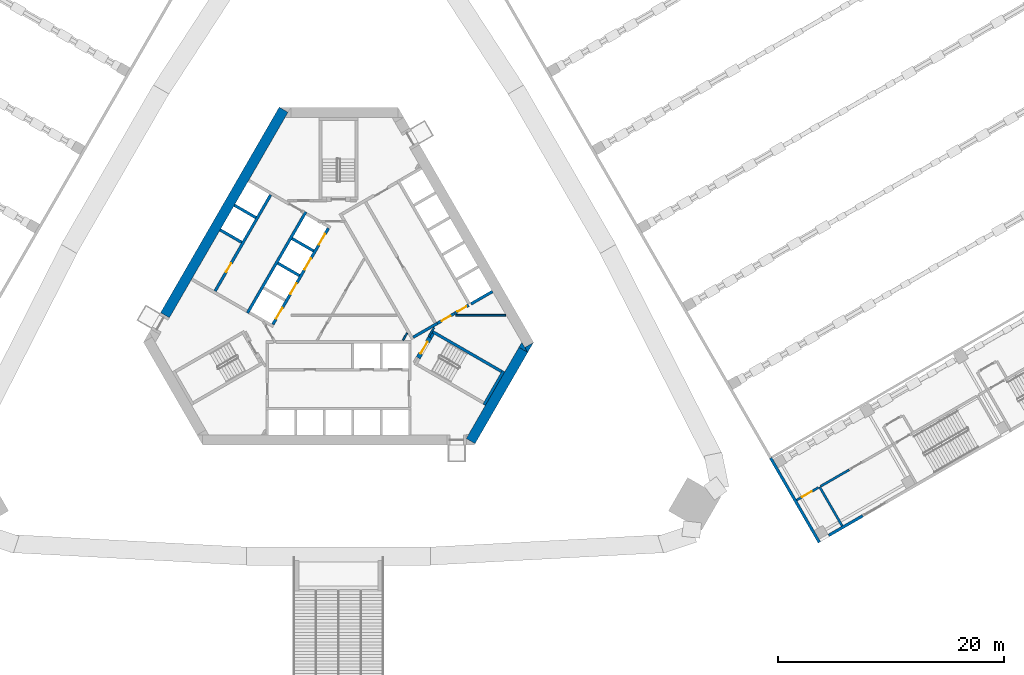
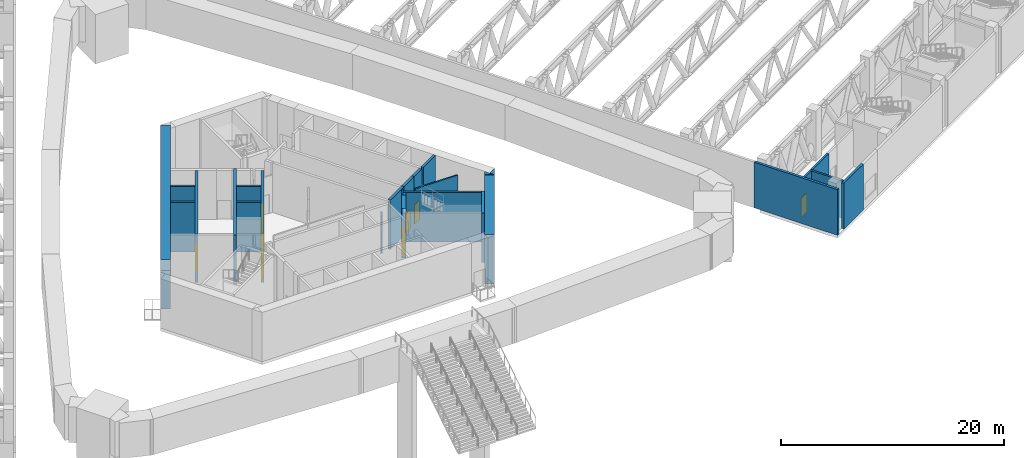
# One storey, part 17 of 37: 27 walls, 9 doors, 9 openings.
"""IFC4 building model written with IfcOpenShell, lengths in metres."""

from ifc_helpers import new_model, si_unit, direction, frame, frame_2d, origin, place, context, subcontext, project, spatial, polyline, rectangle, outline, extrude, material, layer, layer_set, type_object, element, fill, save


model = new_model("IFC4")

# Units and contexts
model_context = context("Model", 3, precision=1e-05, world=origin(), true_north=direction((0.0, 1.0)))
body_context = subcontext(model_context, "Body", "Model", "MODEL_VIEW")
ifc_project = project(units=[si_unit("LENGTHUNIT", "METRE"), si_unit("AREAUNIT", "SQUARE_METRE"), si_unit("VOLUMEUNIT", "CUBIC_METRE"), si_unit("PLANEANGLEUNIT", "RADIAN"), si_unit("MASSUNIT", "GRAM", prefix="KILO")], contexts=[model_context])

# Site, building, storey
site_placement = place(None, origin())
site = spatial("IfcSite", under=ifc_project, at=site_placement, CompositionType="ELEMENT")
building_placement = place(site_placement, origin())
building = spatial("IfcBuilding", under=site, at=building_placement, Name="Mestral Congress Tower", CompositionType="ELEMENT")
storey_placement = place(building_placement, frame((0.0, 0.0, 16.199951171875)))
storey = spatial("IfcBuildingStorey", under=building, at=storey_placement, Name="L03", CompositionType="ELEMENT", Elevation=16.199951171875)

# Walls
ifc_material_1 = material(Name="Fire-rated board partition")
ifc_layer_1 = layer(ifc_material_1, 0.14990234375)
ifc_layer_set_1 = layer_set([ifc_layer_1], Name="Fire-rated board partition")
wall_type_1 = type_object("IfcWallType", Name="Core partition 150", PredefinedType="PARTITIONING", material=ifc_layer_set_1)
wall_1_placement = place(storey_placement, frame((5.704833984375, -3.718017578125, 0.0), z_axis=(0.0, 0.0, 1.0), x_axis=(0.499962090823, 0.866047289552, 0.0)))
element("IfcWall", 1, at=wall_1_placement, inside=storey, type_object=wall_type_1, Name="L03 core wall", PredefinedType="PARTITIONING", context=body_context, shape_type="SweptSolid", body=[
    extrude(rectangle(XDim=0.73486328125, YDim=0.14990234375, at=frame_2d((0.367431640625, 0.0))), origin(), (0.0, 0.0, 1.0), 4.10009765625),
])
wall_2_placement = place(storey_placement, frame((10.362060546875, -1.5, 0.0), z_axis=(0.0, 0.0, 1.0), x_axis=(1.0, 0.0, 0.0)))
element("IfcWall", 2, at=wall_2_placement, inside=storey, type_object=wall_type_1, Name="L03 core wall", PredefinedType="PARTITIONING", context=body_context, shape_type="SweptSolid", body=[
    extrude(rectangle(XDim=4.439208984375, YDim=0.14990234375, at=frame_2d((2.2197265625, 0.0))), origin(), (0.0, 0.0, 1.0), 4.10009765625),
])
ifc_material_2 = material(Name="Concrete C60/75", Category="concrete")
ifc_layer_2 = layer(ifc_material_2, 0.89990234375)
ifc_layer_set_2 = layer_set([ifc_layer_2], Name="Concrete C60/75")
wall_type_2 = type_object("IfcWallType", Name="Core wall RC 900", PredefinedType="SOLIDWALL", material=ifc_layer_set_2)
placement = place(storey_placement, origin())
element("IfcWall", 3, at=placement, inside=storey, type_object=wall_type_2, Name="L03 core wall", PredefinedType="SOLIDWALL", context=body_context, shape_type="SweptSolid", body=[
    extrude(outline(polyline([(16.7431640625, -4.800048828125), (16.4892578125, -4.360107421875), (17.251220703125, -3.920166015625), (16.7431640625, -4.800048828125)])), origin(), (0.0, 0.0, 1.0), 5.400146484375),
])
wall_4_placement = place(storey_placement, frame((11.69482421875, -12.643798828125, 0.0), z_axis=(0.0, 0.0, 1.0), x_axis=(0.500010229568, 0.86601949766, 0.0)))
element("IfcWall", 4, at=wall_4_placement, inside=storey, type_object=wall_type_2, Name="L03 core wall", PredefinedType="SOLIDWALL", context=body_context, shape_type="SweptSolid", body=[
    extrude(rectangle(XDim=9.326416015625, YDim=0.89990234375, at=frame_2d((4.6630859375, 0.0))), origin(), (0.0, 0.0, 1.0), 5.400146484375),
])
element("IfcWall", 5, at=placement, inside=storey, type_object=wall_type_2, Name="L03 core wall", PredefinedType="SOLIDWALL", context=body_context, shape_type="SweptSolid", body=[
    extrude(outline(polyline([(16.223388671875, -3.900146484375), (16.731689453125, -4.780029296875), (15.969482421875, -4.340087890625), (16.223388671875, -3.900146484375)])), origin(), (0.0, 0.0, 1.0), 5.400146484375),
])
wall_6_placement = place(storey_placement, frame((-15.359619140625, -1.50341796875, 0.0), z_axis=(0.0, 0.0, 1.0), x_axis=(0.50000389221, 0.866023156604, 0.0)))
element("IfcWall", 6, at=wall_6_placement, inside=storey, type_object=wall_type_2, Name="L03 core wall", PredefinedType="SOLIDWALL", context=body_context, shape_type="SweptSolid", body=[
    extrude(rectangle(XDim=21.000244140625, YDim=0.89990234375, at=frame_2d((10.5, 0.0))), origin(), (0.0, 0.0, 1.0), 5.400146484375),
])
ifc_material_3 = material(Name="Precast concrete C40/50 with limestone facing", Category="masonry")
ifc_layer_3 = layer(ifc_material_3, 0.25)
ifc_layer_set_3 = layer_set([ifc_layer_3], Name="Precast concrete C40/50 with limestone facing")
wall_type_3 = type_object("IfcWallType", Name="Podium external wall 250", PredefinedType="SOLIDWALL", material=ifc_layer_set_3)
wall_7_placement = place(storey_placement, frame((42.5625, -21.614501953125, 0.0), z_axis=(0.0, 0.0, 1.0), x_axis=(-0.499999331568, 0.866025789703, 0.0)))
element("IfcWall", 7, at=wall_7_placement, inside=storey, type_object=wall_type_3, Name="L03 external wall", PredefinedType="SOLIDWALL", context=body_context, shape_type="SweptSolid", body=[
    extrude(rectangle(XDim=8.625, YDim=0.25, at=frame_2d((4.3125, 0.0))), origin(), (0.0, 0.0, 1.0), 5.0),
])
wall_8_placement = place(storey_placement, frame((46.397216796875, -19.256103515625, 0.0), z_axis=(0.0, 0.0, 1.0), x_axis=(-0.866025305473, -0.500000170281, 0.0)))
element("IfcWall", 8, at=wall_8_placement, inside=storey, type_object=wall_type_3, Name="L03 external wall", PredefinedType="SOLIDWALL", context=body_context, shape_type="SweptSolid", body=[
    extrude(rectangle(XDim=3.47509765625, YDim=0.25, at=frame_2d((1.737548828125, 0.0))), origin(), (0.0, 0.0, 1.0), 5.0),
])
ifc_layer_4 = layer(ifc_material_1, 0.199951171875)
ifc_layer_set_4 = layer_set([ifc_layer_4], Name="Fire-rated board partition")
wall_type_4 = type_object("IfcWallType", Name="Podium vestibule wall 200 EI 120", PredefinedType="PARTITIONING", material=ifc_layer_set_4)
wall_9_placement = place(storey_placement, frame((44.5810546875, -20.160400390625, 0.0), z_axis=(0.0, 0.0, 1.0), x_axis=(-0.49999894854, 0.866026010844, 0.0)))
element("IfcWall", 9, at=wall_9_placement, inside=storey, type_object=wall_type_4, Name="L03 partition", PredefinedType="PARTITIONING", context=body_context, shape_type="SweptSolid", body=[
    extrude(rectangle(XDim=4.0, YDim=0.199951171875, at=frame_2d((2.0, 0.0))), origin(), (0.0, 0.0, 1.0), 4.10009765625),
])

# Wall, opening, door
wall_10_placement = place(storey_placement, frame((42.494384765625, -16.746337890625, 0.0), z_axis=(0.0, 0.0, 1.0), x_axis=(-0.866017533419, -0.500013631625, 0.0)))
wall_10 = element("IfcWall", 10, at=wall_10_placement, inside=storey, type_object=wall_type_4, Name="L03 partition", PredefinedType="PARTITIONING", context=body_context, shape_type="SweptSolid", body=[
    extrude(rectangle(XDim=2.25, YDim=0.199951171875, at=frame_2d((1.125, 0.0))), origin(), (0.0, 0.0, 1.0), 4.10009765625),
])
opening_1_placement = place(wall_10_placement, frame((0.699951171875, 0.0, 0.0)))
opening_1 = element("IfcOpeningElement", 11, at=opening_1_placement, cuts=wall_10, Name="Opening P03-017", PredefinedType="OPENING", context=body_context, shape_type="SweptSolid", body=[
    extrude(rectangle(XDim=1.0, YDim=2.10009765625, at=frame_2d((0.5, 1.050048828125))), frame((0.0, 0.10986328125, 0.0), z_axis=(0.0, -1.0, 0.0), x_axis=(1.0, 0.0, 0.0)), (0.0, 0.0, 1.0), 0.219970703125),
])
ifc_material_4 = material(Name="Fire-rated steel door set", Category="steel")
door_type_1 = type_object("IfcDoorType", Name="Podium room door 1000x2100 EI2 30-C5", OperationType="SINGLE_SWING_LEFT", PredefinedType="DOOR", material=ifc_material_4)
door_1_placement = place(opening_1_placement, origin())
door_1 = element("IfcDoor", 12, at=door_1_placement, inside=storey, type_object=door_type_1, Name="Door P03-017", OperationType="SINGLE_SWING_LEFT", OverallHeight=2.10009765625, OverallWidth=1.0, PredefinedType="DOOR", context=body_context, shape_type="SweptSolid", body=[
    extrude(rectangle(XDim=1.0, YDim=2.10009765625, at=frame_2d((0.5, 1.050048828125))), frame((0.0, 0.02490234375, 0.0), z_axis=(0.0, -1.0, 0.0), x_axis=(1.0, 0.0, 0.0)), (0.0, 0.0, 1.0), 0.050048828125),
])
fill(opening_1, door_1)

# Walls
wall_11_placement = place(storey_placement, frame((42.66748046875, -16.646484375, 0.0), z_axis=(0.0, 0.0, 1.0), x_axis=(0.86601045545, 0.500025890382, 0.0)))
element("IfcWall", 13, at=wall_11_placement, inside=storey, type_object=wall_type_4, Name="L03 partition", PredefinedType="PARTITIONING", context=body_context, shape_type="SweptSolid", body=[
    extrude(rectangle(XDim=2.925048828125, YDim=0.199951171875, at=frame_2d((1.46240234375, 0.0))), origin(), (0.0, 0.0, 1.0), 4.10009765625),
])
ifc_layer_5 = layer(ifc_material_2, 0.25)
ifc_layer_set_5 = layer_set([ifc_layer_5], Name="Concrete C60/75")
wall_type_5 = type_object("IfcWallType", Name="Shaft wall RC 250", PredefinedType="SOLIDWALL", material=ifc_layer_set_5)
wall_12_placement = place(storey_placement, frame((11.7236328125, -0.506103515625, 0.0), z_axis=(0.0, 0.0, 1.0), x_axis=(0.866008176907, 0.50002983664, 0.0)))
element("IfcWall", 14, at=wall_12_placement, inside=storey, type_object=wall_type_5, Name="L03 core wall", PredefinedType="SOLIDWALL", context=body_context, shape_type="SweptSolid", body=[
    extrude(rectangle(XDim=2.199951171875, YDim=0.25, at=frame_2d((1.10009765625, 0.0))), origin(), (0.0, 0.0, 1.0), 5.400146484375),
])
wall_13_placement = place(storey_placement, frame((6.614013671875, -3.4560546875, 0.0), z_axis=(0.0, 0.0, 1.0), x_axis=(0.866031582473, 0.499989298045, 0.0)))
element("IfcWall", 15, at=wall_13_placement, inside=storey, type_object=wall_type_5, Name="L03 core wall", PredefinedType="SOLIDWALL", context=body_context, shape_type="SweptSolid", body=[
    extrude(rectangle(XDim=2.455078125, YDim=0.25, at=frame_2d((1.2275390625, 0.0))), origin(), (0.0, 0.0, 1.0), 5.400146484375),
])
wall_14_placement = place(storey_placement, frame((-8.06005859375, -1.310546875, 0.0), z_axis=(0.0, 0.0, 1.0), x_axis=(0.50000273126, 0.866023826885, 0.0)))
element("IfcWall", 16, at=wall_14_placement, inside=storey, type_object=wall_type_5, Name="L03 core wall", PredefinedType="SOLIDWALL", context=body_context, shape_type="SweptSolid", body=[
    extrude(rectangle(XDim=10.330078125, YDim=0.25, at=frame_2d((5.1650390625, 0.0))), origin(), (0.0, 0.0, 1.0), 5.400146484375),
])
for number, where, z_axis, x_axis, name in (
    (17, (-2.2041015625, 4.182373046875, 0.0), (0.0, 0.0, 1.0), (-0.866008176907, 0.50002983664, 0.0), "L03 core wall"),
    (18, (-5.369384765625, 3.10009765625, 0.0), (0.0, 0.0, 1.0), (0.866008176907, -0.50002983664, 0.0), "L03 core wall"),
    (19, (-8.57373046875, 4.949951171875, 0.0), (0.0, 0.0, 1.0), (-0.866008176907, 0.50002983664, 0.0), "L03 core wall"),
    (20, (-7.313720703125, 7.13232421875, 0.0), (0.0, 0.0, 1.0), (-0.866008176907, 0.50002983664, 0.0), "L03 core wall"),
):
    element("IfcWall", number, at=place(storey_placement, frame(where, z_axis=z_axis, x_axis=x_axis)), inside=storey, type_object=wall_type_5, Name=name, PredefinedType="SOLIDWALL", context=body_context, shape_type="SweptSolid", body=[
        extrude(rectangle(XDim=2.199951171875, YDim=0.25, at=frame_2d((1.10009765625, 0.0))), origin(), (0.0, 0.0, 1.0), 5.400146484375),
    ])

# Wall, opening, door
wall_15_placement = place(storey_placement, frame((-6.0078125, 9.14404296875, 0.0), z_axis=(0.0, 0.0, 1.0), x_axis=(-0.500006956611, -0.866021387346, 0.0)))
wall_15 = element("IfcWall", 21, at=wall_15_placement, inside=storey, type_object=wall_type_5, Name="L03 door wall", PredefinedType="SOLIDWALL", context=body_context, shape_type="SweptSolid", body=[
    extrude(rectangle(XDim=9.829833984375, YDim=0.25, at=frame_2d((4.9150390625, 0.0))), origin(), (0.0, 0.0, 1.0), 5.400146484375),
])
opening_2_placement = place(wall_15_placement, frame((6.985107421875, 0.0, 0.0)))
opening_2 = element("IfcOpeningElement", 22, at=opening_2_placement, cuts=wall_15, Name="Opening SR-NWA2", PredefinedType="OPENING", context=body_context, shape_type="SweptSolid", body=[
    extrude(rectangle(XDim=0.89990234375, YDim=2.10009765625, at=frame_2d((0.449951171875, 1.050048828125))), frame((0.0, 0.135009765625, 0.0), z_axis=(0.0, -1.0, 0.0), x_axis=(1.0, 0.0, 0.0)), (0.0, 0.0, 1.0), 0.27001953125),
])
door_type_2 = type_object("IfcDoorType", Name="Core door SR 900x2100", OperationType="SINGLE_SWING_LEFT", PredefinedType="DOOR", material=ifc_material_4)
door_2_placement = place(opening_2_placement, origin())
door_2 = element("IfcDoor", 23, at=door_2_placement, inside=storey, type_object=door_type_2, Name="Door SR-NWA2", OperationType="SINGLE_SWING_LEFT", OverallHeight=2.10009765625, OverallWidth=0.89990234375, PredefinedType="DOOR", context=body_context, shape_type="SweptSolid", body=[
    extrude(rectangle(XDim=0.89990234375, YDim=2.10009765625, at=frame_2d((0.449951171875, 1.050048828125))), frame((0.0, 0.02490234375, 0.0), z_axis=(0.0, -1.0, 0.0), x_axis=(1.0, 0.0, 0.0)), (0.0, 0.0, 1.0), 0.050048828125),
])
fill(opening_2, door_2)

# Wall, openings, doors
wall_16_placement = place(storey_placement, frame((-0.898193359375, 6.194091796875, 0.0), z_axis=(0.0, 0.0, 1.0), x_axis=(-0.499996202215, -0.866027596426, 0.0)))
wall_16 = element("IfcWall", 24, at=wall_16_placement, inside=storey, type_object=wall_type_5, Name="L03 door wall", PredefinedType="SOLIDWALL", context=body_context, shape_type="SweptSolid", body=[
    extrude(rectangle(XDim=9.830078125, YDim=0.25, at=frame_2d((4.9150390625, 0.0))), origin(), (0.0, 0.0, 1.0), 5.400146484375),
])
opening_3_placement = place(wall_16_placement, frame((0.5849609375, 0.0, 0.0)))
opening_3 = element("IfcOpeningElement", 25, at=opening_3_placement, cuts=wall_16, Name="Opening LD-NWB1", PredefinedType="OPENING", context=body_context, shape_type="SweptSolid", body=[
    extrude(rectangle(XDim=1.10009765625, YDim=2.10009765625, at=frame_2d((0.550048828125, 1.050048828125))), frame((0.0, 0.135009765625, 0.0), z_axis=(0.0, -1.0, 0.0), x_axis=(1.0, 0.0, 0.0)), (0.0, 0.0, 1.0), 0.27001953125),
])
opening_4_placement = place(wall_16_placement, frame((3.10498046875, 0.0, 0.0)))
opening_4 = element("IfcOpeningElement", 26, at=opening_4_placement, cuts=wall_16, Name="Opening LD-NWB2", PredefinedType="OPENING", context=body_context, shape_type="SweptSolid", body=[
    extrude(rectangle(XDim=1.10009765625, YDim=2.10009765625, at=frame_2d((0.550048828125, 1.050048828125))), frame((0.0, 0.135009765625, 0.0), z_axis=(0.0, -1.0, 0.0), x_axis=(1.0, 0.0, 0.0)), (0.0, 0.0, 1.0), 0.27001953125),
])
opening_5_placement = place(wall_16_placement, frame((5.625, 0.0, 0.0)))
opening_5 = element("IfcOpeningElement", 27, at=opening_5_placement, cuts=wall_16, Name="Opening LD-NWB3", PredefinedType="OPENING", context=body_context, shape_type="SweptSolid", body=[
    extrude(rectangle(XDim=1.10009765625, YDim=2.10009765625, at=frame_2d((0.550048828125, 1.050048828125))), frame((0.0, 0.135009765625, 0.0), z_axis=(0.0, -1.0, 0.0), x_axis=(1.0, 0.0, 0.0)), (0.0, 0.0, 1.0), 0.27001953125),
])
opening_6_placement = place(wall_16_placement, frame((8.14501953125, 0.0, 0.0)))
opening_6 = element("IfcOpeningElement", 28, at=opening_6_placement, cuts=wall_16, Name="Opening LD-NWB4", PredefinedType="OPENING", context=body_context, shape_type="SweptSolid", body=[
    extrude(rectangle(XDim=1.10009765625, YDim=2.10009765625, at=frame_2d((0.550048828125, 1.050048828125))), frame((0.0, 0.135009765625, 0.0), z_axis=(0.0, -1.0, 0.0), x_axis=(1.0, 0.0, 0.0)), (0.0, 0.0, 1.0), 0.27001953125),
])
door_type_3 = type_object("IfcDoorType", Name="Core door LD 1100x2100", OperationType="DOUBLE_DOOR_SLIDING", PredefinedType="DOOR", material=ifc_material_4)
door_3_placement = place(opening_3_placement, origin())
door_3 = element("IfcDoor", 29, at=door_3_placement, inside=storey, type_object=door_type_3, Name="Door LD-NWB1", OperationType="DOUBLE_DOOR_SLIDING", OverallHeight=2.10009765625, OverallWidth=1.10009765625, PredefinedType="DOOR", context=body_context, shape_type="SweptSolid", body=[
    extrude(rectangle(XDim=1.10009765625, YDim=2.10009765625, at=frame_2d((0.550048828125, 1.050048828125))), frame((0.0, 0.02490234375, 0.0), z_axis=(0.0, -1.0, 0.0), x_axis=(1.0, 0.0, 0.0)), (0.0, 0.0, 1.0), 0.050048828125),
])
fill(opening_3, door_3)
door_4_placement = place(opening_4_placement, origin())
door_4 = element("IfcDoor", 30, at=door_4_placement, inside=storey, type_object=door_type_3, Name="Door LD-NWB2", OperationType="DOUBLE_DOOR_SLIDING", OverallHeight=2.10009765625, OverallWidth=1.10009765625, PredefinedType="DOOR", context=body_context, shape_type="SweptSolid", body=[
    extrude(rectangle(XDim=1.10009765625, YDim=2.10009765625, at=frame_2d((0.550048828125, 1.050048828125))), frame((0.0, 0.02490234375, 0.0), z_axis=(0.0, -1.0, 0.0), x_axis=(1.0, 0.0, 0.0)), (0.0, 0.0, 1.0), 0.050048828125),
])
fill(opening_4, door_4)
door_5_placement = place(opening_5_placement, origin())
door_5 = element("IfcDoor", 31, at=door_5_placement, inside=storey, type_object=door_type_3, Name="Door LD-NWB3", OperationType="DOUBLE_DOOR_SLIDING", OverallHeight=2.10009765625, OverallWidth=1.10009765625, PredefinedType="DOOR", context=body_context, shape_type="SweptSolid", body=[
    extrude(rectangle(XDim=1.10009765625, YDim=2.10009765625, at=frame_2d((0.550048828125, 1.050048828125))), frame((0.0, 0.02490234375, 0.0), z_axis=(0.0, -1.0, 0.0), x_axis=(1.0, 0.0, 0.0)), (0.0, 0.0, 1.0), 0.050048828125),
])
fill(opening_5, door_5)
door_6_placement = place(opening_6_placement, origin())
door_6 = element("IfcDoor", 32, at=door_6_placement, inside=storey, type_object=door_type_3, Name="Door LD-NWB4", OperationType="DOUBLE_DOOR_SLIDING", OverallHeight=2.10009765625, OverallWidth=1.10009765625, PredefinedType="DOOR", context=body_context, shape_type="SweptSolid", body=[
    extrude(rectangle(XDim=1.10009765625, YDim=2.10009765625, at=frame_2d((0.550048828125, 1.050048828125))), frame((0.0, 0.02490234375, 0.0), z_axis=(0.0, -1.0, 0.0), x_axis=(1.0, 0.0, 0.0)), (0.0, 0.0, 1.0), 0.050048828125),
])
fill(opening_6, door_6)

# Wall, opening, door
wall_17_placement = place(storey_placement, frame((8.740478515625, -2.228515625, 0.0), z_axis=(0.0, 0.0, 1.0), x_axis=(0.865989075817, 0.500062916607, 0.0)))
wall_17 = element("IfcWall", 33, at=wall_17_placement, inside=storey, type_object=wall_type_5, Name="L03 door wall", PredefinedType="SOLIDWALL", context=body_context, shape_type="SweptSolid", body=[
    extrude(rectangle(XDim=1.800048828125, YDim=0.25, at=frame_2d((0.89990234375, 0.0))), origin(), (0.0, 0.0, 1.0), 5.400146484375),
])
opening_7_placement = place(wall_17_placement, frame((0.449951171875, 0.0, 0.0)))
opening_7 = element("IfcOpeningElement", 34, at=opening_7_placement, cuts=wall_17, Name="Opening TD1", PredefinedType="OPENING", context=body_context, shape_type="SweptSolid", body=[
    extrude(rectangle(XDim=0.89990234375, YDim=2.10009765625, at=frame_2d((0.449951171875, 1.050048828125))), frame((0.0, 0.135009765625, 0.0), z_axis=(0.0, -1.0, 0.0), x_axis=(1.0, 0.0, 0.0)), (0.0, 0.0, 1.0), 0.27001953125),
])
door_7_placement = place(opening_7_placement, origin())
door_7 = element("IfcDoor", 35, at=door_7_placement, inside=storey, type_object=door_type_2, Name="Door TD1", OperationType="SINGLE_SWING_LEFT", OverallHeight=2.10009765625, OverallWidth=0.89990234375, PredefinedType="DOOR", context=body_context, shape_type="SweptSolid", body=[
    extrude(rectangle(XDim=0.89990234375, YDim=2.10009765625, at=frame_2d((0.449951171875, 1.050048828125))), frame((0.0, 0.02490234375, 0.0), z_axis=(0.0, -1.0, 0.0), x_axis=(1.0, 0.0, 0.0)), (0.0, 0.0, 1.0), 0.050048828125),
])
fill(opening_7, door_7)

wall_18_placement = place(storey_placement, frame((10.31298828125, -1.3203125, 0.0), z_axis=(0.0, 0.0, 1.0), x_axis=(0.866034573852, 0.49998411664, 0.0)))
wall_18 = element("IfcWall", 36, at=wall_18_placement, inside=storey, type_object=wall_type_5, Name="L03 door wall", PredefinedType="SOLIDWALL", context=body_context, shape_type="SweptSolid", body=[
    extrude(rectangle(XDim=1.39990234375, YDim=0.25, at=frame_2d((0.699951171875, 0.0))), origin(), (0.0, 0.0, 1.0), 5.400146484375),
])
opening_8_placement = place(wall_18_placement, frame((0.25, 0.0, 0.0)))
opening_8 = element("IfcOpeningElement", 37, at=opening_8_placement, cuts=wall_18, Name="Opening SD-HUB2", PredefinedType="OPENING", context=body_context, shape_type="SweptSolid", body=[
    extrude(rectangle(XDim=0.89990234375, YDim=2.10009765625, at=frame_2d((0.449951171875, 1.050048828125))), frame((0.0, 0.135009765625, 0.0), z_axis=(0.0, -1.0, 0.0), x_axis=(1.0, 0.0, 0.0)), (0.0, 0.0, 1.0), 0.27001953125),
])
door_8_placement = place(opening_8_placement, origin())
door_8 = element("IfcDoor", 38, at=door_8_placement, inside=storey, type_object=door_type_2, Name="Door SD-HUB2", OperationType="SINGLE_SWING_LEFT", OverallHeight=2.10009765625, OverallWidth=0.89990234375, PredefinedType="DOOR", context=body_context, shape_type="SweptSolid", body=[
    extrude(rectangle(XDim=0.89990234375, YDim=2.10009765625, at=frame_2d((0.449951171875, 1.050048828125))), frame((0.0, 0.02490234375, 0.0), z_axis=(0.0, -1.0, 0.0), x_axis=(1.0, 0.0, 0.0)), (0.0, 0.0, 1.0), 0.050048828125),
])
fill(opening_8, door_8)

# Walls
ifc_layer_6 = layer(ifc_material_2, 0.14990234375)
ifc_layer_set_6 = layer_set([ifc_layer_6], Name="Concrete C60/75")
wall_type_6 = type_object("IfcWallType", Name="Shaft wall RC 250 door-wall 150", PredefinedType="SOLIDWALL", material=ifc_layer_set_6)
wall_19_placement = place(storey_placement, frame((8.459228515625, -2.59912109375, 0.0), z_axis=(0.0, 0.0, 1.0), x_axis=(-0.500041054325, -0.866001699761, 0.0)))
element("IfcWall", 39, at=wall_19_placement, inside=storey, type_object=wall_type_6, Name="L03 core wall", PredefinedType="PARTITIONING", context=body_context, shape_type="SweptSolid", body=[
    extrude(rectangle(XDim=0.9287109375, YDim=0.14990234375, at=frame_2d((0.46435546875, 0.0))), origin(), (0.0, 0.0, 1.0), 5.400146484375),
])
ifc_layer_7 = layer(ifc_material_2, 0.25)
ifc_layer_set_7 = layer_set([ifc_layer_7], Name="Concrete C60/75")
wall_type_7 = type_object("IfcWallType", Name="Stair wall RC 250", PredefinedType="SOLIDWALL", material=ifc_layer_set_7)
wall_20_placement = place(storey_placement, frame((12.885498046875, -9.431396484375, 0.0), z_axis=(0.0, 0.0, 1.0), x_axis=(0.500020560727, 0.866013532718, 0.0)))
element("IfcWall", 40, at=wall_20_placement, inside=storey, type_object=wall_type_7, Name="L03 core wall", PredefinedType="SOLIDWALL", context=body_context, shape_type="SweptSolid", body=[
    extrude(rectangle(XDim=3.449951171875, YDim=0.25, at=frame_2d((1.72509765625, 0.0))), origin(), (0.0, 0.0, 1.0), 5.400146484375),
])
wall_21_placement = place(storey_placement, frame((8.33447265625, -2.96435546875, 0.0), z_axis=(0.0, 0.0, 1.0), x_axis=(0.866016039709, -0.500016218704, 0.0)))
element("IfcWall", 41, at=wall_21_placement, inside=storey, type_object=wall_type_7, Name="L03 core wall", PredefinedType="SOLIDWALL", context=body_context, shape_type="SweptSolid", body=[
    extrude(rectangle(XDim=7.050048828125, YDim=0.25, at=frame_2d((3.52490234375, 0.0))), origin(), (0.0, 0.0, 1.0), 5.400146484375),
])
wall_22_placement = place(storey_placement, frame((8.167724609375, -3.503173828125, 0.0), z_axis=(0.0, 0.0, 1.0), x_axis=(0.49972245349, 0.866185586049, 0.0)))
element("IfcWall", 42, at=wall_22_placement, inside=storey, type_object=wall_type_7, Name="L03 core wall", PredefinedType="SOLIDWALL", context=body_context, shape_type="SweptSolid", body=[
    extrude(rectangle(XDim=0.425048828125, YDim=0.25, at=frame_2d((0.21240234375, 0.0))), origin(), (0.0, 0.0, 1.0), 5.400146484375),
])

# Wall, opening, door
ifc_layer_8 = layer(ifc_material_2, 0.39990234375)
ifc_layer_set_8 = layer_set([ifc_layer_8], Name="Concrete C60/75")
wall_type_8 = type_object("IfcWallType", Name="Stair wall RC 250 door-wall 400", PredefinedType="SOLIDWALL", material=ifc_layer_set_8)
wall_23_placement = place(storey_placement, frame((7.052734375, -5.2841796875, 0.0), z_axis=(0.0, 0.0, 1.0), x_axis=(0.500078061341, 0.865980330357, 0.0)))
wall_23 = element("IfcWall", 43, at=wall_23_placement, inside=storey, type_object=wall_type_8, Name="L03 door wall", PredefinedType="SOLIDWALL", context=body_context, shape_type="SweptSolid", body=[
    extrude(rectangle(XDim=2.099853515625, YDim=0.39990234375, at=frame_2d((1.0498046875, 0.0))), origin(), (0.0, 0.0, 1.0), 5.400146484375),
])
opening_9_placement = place(wall_23_placement, frame((0.449951171875, 0.0, 0.0)))
opening_9 = element("IfcOpeningElement", 44, at=opening_9_placement, cuts=wall_23, Name="Opening ST-D1", PredefinedType="OPENING", context=body_context, shape_type="SweptSolid", body=[
    extrude(rectangle(XDim=1.199951171875, YDim=2.10009765625, at=frame_2d((0.60009765625, 1.050048828125))), frame((0.0, 0.2099609375, 0.0), z_axis=(0.0, -1.0, 0.0), x_axis=(1.0, 0.0, 0.0)), (0.0, 0.0, 1.0), 0.419921875),
])
door_type_4 = type_object("IfcDoorType", Name="Core door ST 1200x2100", OperationType="SINGLE_SWING_LEFT", PredefinedType="DOOR", material=ifc_material_4)
door_9_placement = place(opening_9_placement, origin())
door_9 = element("IfcDoor", 45, at=door_9_placement, inside=storey, type_object=door_type_4, Name="Door ST-D1", OperationType="SINGLE_SWING_LEFT", OverallHeight=2.10009765625, OverallWidth=1.199951171875, PredefinedType="DOOR", context=body_context, shape_type="SweptSolid", body=[
    extrude(rectangle(XDim=1.199951171875, YDim=2.10009765625, at=frame_2d((0.60009765625, 1.050048828125))), frame((0.0, 0.02490234375, 0.0), z_axis=(0.0, -1.0, 0.0), x_axis=(1.0, 0.0, 0.0)), (0.0, 0.0, 1.0), 0.050048828125),
])
fill(opening_9, door_9)

save(model, "model.ifc")
